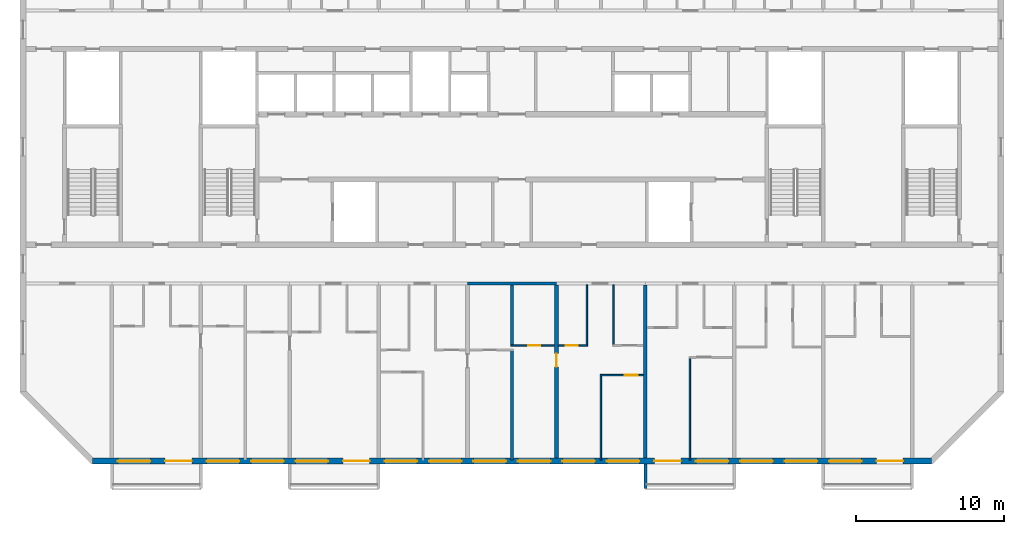
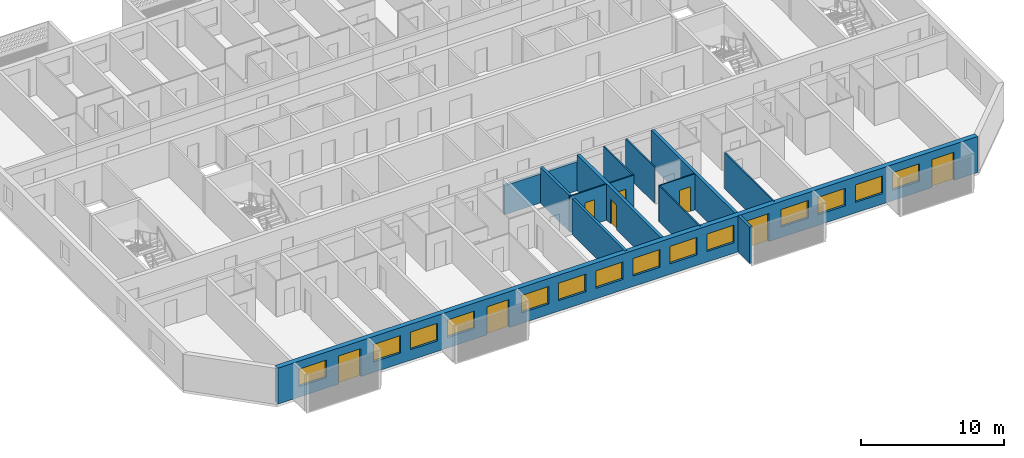
# One storey, part 4 of 26: 14 walls, 14 windows, 8 doors, 22 openings.
"""IFC4 building model written with IfcOpenShell, lengths in metres."""

from ifc_helpers import new_model, si_unit, direction, frame, frame_2d, origin, place, context, subcontext, project, spatial, polyline, rectangle, outline, extrude, source, transform, mapped, material, layer, layer_set, type_object, element, fill, save


model = new_model("IFC4")

# Units and contexts
model_context = context("Model", 3, precision=1e-05, world=origin(), true_north=direction((0.0, 1.0)))
body_context = subcontext(model_context, "Body", "Model", "MODEL_VIEW")
ifc_project = project(units=[si_unit("LENGTHUNIT", "METRE"), si_unit("AREAUNIT", "SQUARE_METRE"), si_unit("VOLUMEUNIT", "CUBIC_METRE"), si_unit("PLANEANGLEUNIT", "RADIAN"), si_unit("MASSUNIT", "GRAM", prefix="KILO")], contexts=[model_context])

# Site, building, storey
site_placement = place(None, origin())
site = spatial("IfcSite", under=ifc_project, at=site_placement, CompositionType="ELEMENT")
building_placement = place(site_placement, origin())
building = spatial("IfcBuilding", under=site, at=building_placement, Name="Poui Terraces", CompositionType="ELEMENT")
storey_placement = place(building_placement, frame((0.0, 0.0, 241.199951171875)))
storey = spatial("IfcBuildingStorey", under=building, at=storey_placement, Name="L67", CompositionType="ELEMENT", Elevation=241.199951171875)

# Wall
ifc_material_1 = material(Name="Concrete 50 MPa", Category="concrete")
ifc_layer_1 = layer(ifc_material_1, 0.199951171875)
ifc_layer_set_1 = layer_set([ifc_layer_1], Name="Concrete 50 MPa")
wall_type_1 = type_object("IfcWallType", Name="CORRIDOR WALL 200 50MPa", PredefinedType="SHEAR", material=ifc_layer_set_1)
wall_1_placement = place(storey_placement, frame((48.0, 12.0, 0.0), z_axis=(0.0, 0.0, 1.0), x_axis=(1.0, 0.0, 0.0)))
element("IfcWall", 1, at=wall_1_placement, inside=storey, type_object=wall_type_1, Name="CORRIDOR WALL LINE B BAY 6", PredefinedType="SHEAR", context=body_context, shape_type="SweptSolid", body=[
    extrude(rectangle(XDim=6.0, YDim=0.199951171875, at=frame_2d((3.0, 0.0))), origin(), (0.0, 0.0, 1.0), 2.47998046875),
])

# Wall, opening, door
ifc_layer_2 = layer(ifc_material_1, 0.25)
ifc_layer_set_2 = layer_set([ifc_layer_2], Name="Concrete 50 MPa")
wall_type_2 = type_object("IfcWallType", Name="CROSS WALL 250 50MPa", PredefinedType="SHEAR", material=ifc_layer_set_2)
wall_2_placement = place(storey_placement, frame((54.0, 0.199951171875, 0.0), z_axis=(0.0, 0.0, 1.0), x_axis=(0.0, 1.0, 0.0)))
wall_2 = element("IfcWall", 2, at=wall_2_placement, inside=storey, type_object=wall_type_2, Name="CROSS WALL LINE 10 SOUTH", PredefinedType="SHEAR", context=body_context, shape_type="SweptSolid", body=[
    extrude(rectangle(XDim=11.699951171875, YDim=0.25, at=frame_2d((5.85009765625, 0.0))), origin(), (0.0, 0.0, 1.0), 3.080078125),
])
opening_1_placement = place(wall_2_placement, frame((6.14990234375, 0.0, 0.0)))
opening_1 = element("IfcOpeningElement", 3, at=opening_1_placement, cuts=wall_2, Name="Opening D90", PredefinedType="OPENING", context=body_context, shape_type="SweptSolid", body=[
    extrude(rectangle(XDim=0.89990234375, YDim=2.10009765625, at=frame_2d((0.449951171875, 1.050048828125))), frame((0.0, 0.135009765625, 0.0), z_axis=(0.0, -1.0, 0.0), x_axis=(1.0, 0.0, 0.0)), (0.0, 0.0, 1.0), 0.27001953125),
])
ifc_material_2 = material(Name="Solid core timber door", Category="wood")
door_type_1 = type_object("IfcDoorType", Name="INTERNAL DOOR 900 X 2100", OperationType="NOTDEFINED", PredefinedType="DOOR", material=ifc_material_2)
door_1_placement = place(opening_1_placement, origin())
door_1 = element("IfcDoor", 4, at=door_1_placement, inside=storey, type_object=door_type_1, Name="INTERNAL DOOR 079", OperationType="SINGLE_SWING_RIGHT", OverallHeight=2.10009765625, OverallWidth=0.89990234375, PredefinedType="DOOR", context=body_context, shape_type="SweptSolid", body=[
    extrude(rectangle(XDim=0.89990234375, YDim=2.10009765625, at=frame_2d((0.449951171875, 1.050048828125))), frame((0.0, 0.02490234375, 0.0), z_axis=(0.0, -1.0, 0.0), x_axis=(1.0, 0.0, 0.0)), (0.0, 0.0, 1.0), 0.050048828125),
])
fill(opening_1, door_1)

# Wall
wall_3_placement = place(storey_placement, frame((60.0, 0.199951171875, 0.0), z_axis=(0.0, 0.0, 1.0), x_axis=(0.0, 1.0, 0.0)))
element("IfcWall", 5, at=wall_3_placement, inside=storey, type_object=wall_type_2, Name="CROSS WALL LINE 11 SOUTH", PredefinedType="SHEAR", context=body_context, shape_type="SweptSolid", body=[
    extrude(rectangle(XDim=11.699951171875, YDim=0.25, at=frame_2d((5.85009765625, 0.0))), origin(), (0.0, 0.0, 1.0), 3.080078125),
])

# Wall, openings, doors, windows
ifc_material_3 = material(Name="Precast concrete 40 MPa", Category="concrete")
ifc_layer_3 = layer(ifc_material_3, 0.39990234375)
ifc_layer_set_3 = layer_set([ifc_layer_3], Name="Precast concrete 40 MPa")
wall_type_3 = type_object("IfcWallType", Name="EXTERNAL WALL 400", PredefinedType="STANDARD", material=ifc_layer_set_3)
wall_4_placement = place(storey_placement, frame((22.682861328125, 0.0, 0.0), z_axis=(0.0, 0.0, 1.0), x_axis=(1.0, 0.0, 0.0)))
wall_4 = element("IfcWall", 6, at=wall_4_placement, inside=storey, type_object=wall_type_3, Name="EXTERNAL WALL S", PredefinedType="STANDARD", context=body_context, shape_type="SweptSolid", body=[
    extrude(rectangle(XDim=56.63427734375, YDim=0.39990234375, at=frame_2d((28.317138671875, 0.0))), origin(), (0.0, 0.0, 1.0), 3.080078125),
])
opening_2_placement = place(wall_4_placement, frame((1.71728515625, 0.0, 0.89990234375)))
opening_2 = element("IfcOpeningElement", 7, at=opening_2_placement, cuts=wall_4, Name="Opening W1", PredefinedType="OPENING", context=body_context, shape_type="SweptSolid", body=[
    extrude(rectangle(XDim=2.199951171875, YDim=1.5, at=frame_2d((1.10009765625, 0.75))), frame((0.0, 0.2099609375, 0.0), z_axis=(0.0, -1.0, 0.0), x_axis=(1.0, 0.0, 0.0)), (0.0, 0.0, 1.0), 0.419921875),
])
opening_3_placement = place(wall_4_placement, frame((4.917236328125, 0.0, 0.0)))
opening_3 = element("IfcOpeningElement", 8, at=opening_3_placement, cuts=wall_4, Name="Opening BD1", PredefinedType="OPENING", context=body_context, shape_type="SweptSolid", body=[
    extrude(rectangle(XDim=1.800048828125, YDim=2.39990234375, at=frame_2d((0.89990234375, 1.199951171875))), frame((0.0, 0.2099609375, 0.0), z_axis=(0.0, -1.0, 0.0), x_axis=(1.0, 0.0, 0.0)), (0.0, 0.0, 1.0), 0.419921875),
])
opening_4_placement = place(wall_4_placement, frame((7.71728515625, 0.0, 0.89990234375)))
opening_4 = element("IfcOpeningElement", 9, at=opening_4_placement, cuts=wall_4, Name="Opening W1", PredefinedType="OPENING", context=body_context, shape_type="SweptSolid", body=[
    extrude(rectangle(XDim=2.199951171875, YDim=1.5, at=frame_2d((1.10009765625, 0.75))), frame((0.0, 0.2099609375, 0.0), z_axis=(0.0, -1.0, 0.0), x_axis=(1.0, 0.0, 0.0)), (0.0, 0.0, 1.0), 0.419921875),
])
opening_5_placement = place(wall_4_placement, frame((10.71728515625, 0.0, 0.89990234375)))
opening_5 = element("IfcOpeningElement", 10, at=opening_5_placement, cuts=wall_4, Name="Opening W1", PredefinedType="OPENING", context=body_context, shape_type="SweptSolid", body=[
    extrude(rectangle(XDim=2.199951171875, YDim=1.5, at=frame_2d((1.10009765625, 0.75))), frame((0.0, 0.2099609375, 0.0), z_axis=(0.0, -1.0, 0.0), x_axis=(1.0, 0.0, 0.0)), (0.0, 0.0, 1.0), 0.419921875),
])
opening_6_placement = place(wall_4_placement, frame((13.71728515625, 0.0, 0.89990234375)))
opening_6 = element("IfcOpeningElement", 11, at=opening_6_placement, cuts=wall_4, Name="Opening W1", PredefinedType="OPENING", context=body_context, shape_type="SweptSolid", body=[
    extrude(rectangle(XDim=2.199951171875, YDim=1.5, at=frame_2d((1.10009765625, 0.75))), frame((0.0, 0.2099609375, 0.0), z_axis=(0.0, -1.0, 0.0), x_axis=(1.0, 0.0, 0.0)), (0.0, 0.0, 1.0), 0.419921875),
])
opening_7_placement = place(wall_4_placement, frame((16.917236328125, 0.0, 0.0)))
opening_7 = element("IfcOpeningElement", 12, at=opening_7_placement, cuts=wall_4, Name="Opening BD1", PredefinedType="OPENING", context=body_context, shape_type="SweptSolid", body=[
    extrude(rectangle(XDim=1.800048828125, YDim=2.39990234375, at=frame_2d((0.89990234375, 1.199951171875))), frame((0.0, 0.2099609375, 0.0), z_axis=(0.0, -1.0, 0.0), x_axis=(1.0, 0.0, 0.0)), (0.0, 0.0, 1.0), 0.419921875),
])
opening_8_placement = place(wall_4_placement, frame((19.71728515625, 0.0, 0.89990234375)))
opening_8 = element("IfcOpeningElement", 13, at=opening_8_placement, cuts=wall_4, Name="Opening W1", PredefinedType="OPENING", context=body_context, shape_type="SweptSolid", body=[
    extrude(rectangle(XDim=2.199951171875, YDim=1.5, at=frame_2d((1.10009765625, 0.75))), frame((0.0, 0.2099609375, 0.0), z_axis=(0.0, -1.0, 0.0), x_axis=(1.0, 0.0, 0.0)), (0.0, 0.0, 1.0), 0.419921875),
])
opening_9_placement = place(wall_4_placement, frame((22.71728515625, 0.0, 0.89990234375)))
opening_9 = element("IfcOpeningElement", 14, at=opening_9_placement, cuts=wall_4, Name="Opening W1", PredefinedType="OPENING", context=body_context, shape_type="SweptSolid", body=[
    extrude(rectangle(XDim=2.199951171875, YDim=1.5, at=frame_2d((1.10009765625, 0.75))), frame((0.0, 0.2099609375, 0.0), z_axis=(0.0, -1.0, 0.0), x_axis=(1.0, 0.0, 0.0)), (0.0, 0.0, 1.0), 0.419921875),
])
opening_10_placement = place(wall_4_placement, frame((25.71728515625, 0.0, 0.89990234375)))
opening_10 = element("IfcOpeningElement", 15, at=opening_10_placement, cuts=wall_4, Name="Opening W1", PredefinedType="OPENING", context=body_context, shape_type="SweptSolid", body=[
    extrude(rectangle(XDim=2.199951171875, YDim=1.5, at=frame_2d((1.10009765625, 0.75))), frame((0.0, 0.2099609375, 0.0), z_axis=(0.0, -1.0, 0.0), x_axis=(1.0, 0.0, 0.0)), (0.0, 0.0, 1.0), 0.419921875),
])
opening_11_placement = place(wall_4_placement, frame((28.71728515625, 0.0, 0.89990234375)))
opening_11 = element("IfcOpeningElement", 16, at=opening_11_placement, cuts=wall_4, Name="Opening W1", PredefinedType="OPENING", context=body_context, shape_type="SweptSolid", body=[
    extrude(rectangle(XDim=2.199951171875, YDim=1.5, at=frame_2d((1.10009765625, 0.75))), frame((0.0, 0.2099609375, 0.0), z_axis=(0.0, -1.0, 0.0), x_axis=(1.0, 0.0, 0.0)), (0.0, 0.0, 1.0), 0.419921875),
])
opening_12_placement = place(wall_4_placement, frame((31.71728515625, 0.0, 0.89990234375)))
opening_12 = element("IfcOpeningElement", 17, at=opening_12_placement, cuts=wall_4, Name="Opening W1", PredefinedType="OPENING", context=body_context, shape_type="SweptSolid", body=[
    extrude(rectangle(XDim=2.199951171875, YDim=1.5, at=frame_2d((1.10009765625, 0.75))), frame((0.0, 0.2099609375, 0.0), z_axis=(0.0, -1.0, 0.0), x_axis=(1.0, 0.0, 0.0)), (0.0, 0.0, 1.0), 0.419921875),
])
opening_13_placement = place(wall_4_placement, frame((34.71728515625, 0.0, 0.89990234375)))
opening_13 = element("IfcOpeningElement", 18, at=opening_13_placement, cuts=wall_4, Name="Opening W1", PredefinedType="OPENING", context=body_context, shape_type="SweptSolid", body=[
    extrude(rectangle(XDim=2.199951171875, YDim=1.5, at=frame_2d((1.10009765625, 0.75))), frame((0.0, 0.2099609375, 0.0), z_axis=(0.0, -1.0, 0.0), x_axis=(1.0, 0.0, 0.0)), (0.0, 0.0, 1.0), 0.419921875),
])
opening_14_placement = place(wall_4_placement, frame((37.917236328125, 0.0, 0.0)))
opening_14 = element("IfcOpeningElement", 19, at=opening_14_placement, cuts=wall_4, Name="Opening BD1", PredefinedType="OPENING", context=body_context, shape_type="SweptSolid", body=[
    extrude(rectangle(XDim=1.800048828125, YDim=2.39990234375, at=frame_2d((0.89990234375, 1.199951171875))), frame((0.0, 0.2099609375, 0.0), z_axis=(0.0, -1.0, 0.0), x_axis=(1.0, 0.0, 0.0)), (0.0, 0.0, 1.0), 0.419921875),
])
opening_15_placement = place(wall_4_placement, frame((40.71728515625, 0.0, 0.89990234375)))
opening_15 = element("IfcOpeningElement", 20, at=opening_15_placement, cuts=wall_4, Name="Opening W1", PredefinedType="OPENING", context=body_context, shape_type="SweptSolid", body=[
    extrude(rectangle(XDim=2.199951171875, YDim=1.5, at=frame_2d((1.10009765625, 0.75))), frame((0.0, 0.2099609375, 0.0), z_axis=(0.0, -1.0, 0.0), x_axis=(1.0, 0.0, 0.0)), (0.0, 0.0, 1.0), 0.419921875),
])
opening_16_placement = place(wall_4_placement, frame((43.71728515625, 0.0, 0.89990234375)))
opening_16 = element("IfcOpeningElement", 21, at=opening_16_placement, cuts=wall_4, Name="Opening W1", PredefinedType="OPENING", context=body_context, shape_type="SweptSolid", body=[
    extrude(rectangle(XDim=2.199951171875, YDim=1.5, at=frame_2d((1.10009765625, 0.75))), frame((0.0, 0.2099609375, 0.0), z_axis=(0.0, -1.0, 0.0), x_axis=(1.0, 0.0, 0.0)), (0.0, 0.0, 1.0), 0.419921875),
])
opening_17_placement = place(wall_4_placement, frame((46.71728515625, 0.0, 0.89990234375)))
opening_17 = element("IfcOpeningElement", 22, at=opening_17_placement, cuts=wall_4, Name="Opening W1", PredefinedType="OPENING", context=body_context, shape_type="SweptSolid", body=[
    extrude(rectangle(XDim=2.199951171875, YDim=1.5, at=frame_2d((1.10009765625, 0.75))), frame((0.0, 0.2099609375, 0.0), z_axis=(0.0, -1.0, 0.0), x_axis=(1.0, 0.0, 0.0)), (0.0, 0.0, 1.0), 0.419921875),
])
opening_18_placement = place(wall_4_placement, frame((49.71728515625, 0.0, 0.89990234375)))
opening_18 = element("IfcOpeningElement", 23, at=opening_18_placement, cuts=wall_4, Name="Opening W1", PredefinedType="OPENING", context=body_context, shape_type="SweptSolid", body=[
    extrude(rectangle(XDim=2.199951171875, YDim=1.5, at=frame_2d((1.10009765625, 0.75))), frame((0.0, 0.2099609375, 0.0), z_axis=(0.0, -1.0, 0.0), x_axis=(1.0, 0.0, 0.0)), (0.0, 0.0, 1.0), 0.419921875),
])
opening_19_placement = place(wall_4_placement, frame((52.917236328125, 0.0, 0.0)))
opening_19 = element("IfcOpeningElement", 24, at=opening_19_placement, cuts=wall_4, Name="Opening BD1", PredefinedType="OPENING", context=body_context, shape_type="SweptSolid", body=[
    extrude(rectangle(XDim=1.800048828125, YDim=2.39990234375, at=frame_2d((0.89990234375, 1.199951171875))), frame((0.0, 0.2099609375, 0.0), z_axis=(0.0, -1.0, 0.0), x_axis=(1.0, 0.0, 0.0)), (0.0, 0.0, 1.0), 0.419921875),
])
ifc_material_4 = material(Name="Clear glass in aluminium frame", Category="aluminium")
door_type_2 = type_object("IfcDoorType", Name="BALCONY DOOR 1800X2400", OperationType="DOUBLE_DOOR_SLIDING", PredefinedType="DOOR", material=ifc_material_4)
door_2_placement = place(opening_3_placement, origin())
door_2 = element("IfcDoor", 25, at=door_2_placement, inside=storey, type_object=door_type_2, Name="BD1 BALCONY DOOR", OperationType="DOUBLE_DOOR_SLIDING", OverallHeight=2.39990234375, OverallWidth=1.800048828125, PredefinedType="DOOR", context=body_context, shape_type="SweptSolid", body=[
    extrude(rectangle(XDim=1.800048828125, YDim=2.39990234375, at=frame_2d((0.89990234375, 1.199951171875))), frame((0.0, 0.02490234375, 0.0), z_axis=(0.0, -1.0, 0.0), x_axis=(1.0, 0.0, 0.0)), (0.0, 0.0, 1.0), 0.050048828125),
])
fill(opening_3, door_2)
door_3_placement = place(opening_7_placement, origin())
door_3 = element("IfcDoor", 26, at=door_3_placement, inside=storey, type_object=door_type_2, Name="BD1 BALCONY DOOR", OperationType="DOUBLE_DOOR_SLIDING", OverallHeight=2.39990234375, OverallWidth=1.800048828125, PredefinedType="DOOR", context=body_context, shape_type="SweptSolid", body=[
    extrude(rectangle(XDim=1.800048828125, YDim=2.39990234375, at=frame_2d((0.89990234375, 1.199951171875))), frame((0.0, 0.02490234375, 0.0), z_axis=(0.0, -1.0, 0.0), x_axis=(1.0, 0.0, 0.0)), (0.0, 0.0, 1.0), 0.050048828125),
])
fill(opening_7, door_3)
door_4_placement = place(opening_14_placement, origin())
door_4 = element("IfcDoor", 27, at=door_4_placement, inside=storey, type_object=door_type_2, Name="BD1 BALCONY DOOR", OperationType="DOUBLE_DOOR_SLIDING", OverallHeight=2.39990234375, OverallWidth=1.800048828125, PredefinedType="DOOR", context=body_context, shape_type="SweptSolid", body=[
    extrude(rectangle(XDim=1.800048828125, YDim=2.39990234375, at=frame_2d((0.89990234375, 1.199951171875))), frame((0.0, 0.02490234375, 0.0), z_axis=(0.0, -1.0, 0.0), x_axis=(1.0, 0.0, 0.0)), (0.0, 0.0, 1.0), 0.050048828125),
])
fill(opening_14, door_4)
door_5_placement = place(opening_19_placement, origin())
door_5 = element("IfcDoor", 28, at=door_5_placement, inside=storey, type_object=door_type_2, Name="BD1 BALCONY DOOR", OperationType="DOUBLE_DOOR_SLIDING", OverallHeight=2.39990234375, OverallWidth=1.800048828125, PredefinedType="DOOR", context=body_context, shape_type="SweptSolid", body=[
    extrude(rectangle(XDim=1.800048828125, YDim=2.39990234375, at=frame_2d((0.89990234375, 1.199951171875))), frame((0.0, 0.02490234375, 0.0), z_axis=(0.0, -1.0, 0.0), x_axis=(1.0, 0.0, 0.0)), (0.0, 0.0, 1.0), 0.050048828125),
])
fill(opening_19, door_5)
window_type = type_object("IfcWindowType", Name="WINDOW 2200X1500", PartitioningType="DOUBLE_PANEL_HORIZONTAL", PredefinedType="WINDOW", material=ifc_material_4)
window_1_placement = place(opening_2_placement, origin())
window_1 = element("IfcWindow", 29, at=window_1_placement, inside=storey, type_object=window_type, Name="W1 WINDOW", OverallHeight=1.5, OverallWidth=2.199951171875, PartitioningType="DOUBLE_PANEL_HORIZONTAL", PredefinedType="WINDOW", context=body_context, shape_type="SweptSolid", body=[
    extrude(rectangle(XDim=2.199951171875, YDim=1.5, at=frame_2d((1.10009765625, 0.75))), frame((0.0, 0.030029296875, 0.0), z_axis=(0.0, -1.0, 0.0), x_axis=(1.0, 0.0, 0.0)), (0.0, 0.0, 1.0), 0.06005859375),
])
fill(opening_2, window_1)
window_2_placement = place(opening_4_placement, origin())
window_2 = element("IfcWindow", 30, at=window_2_placement, inside=storey, type_object=window_type, Name="W1 WINDOW", OverallHeight=1.5, OverallWidth=2.199951171875, PartitioningType="DOUBLE_PANEL_HORIZONTAL", PredefinedType="WINDOW", context=body_context, shape_type="SweptSolid", body=[
    extrude(rectangle(XDim=2.199951171875, YDim=1.5, at=frame_2d((1.10009765625, 0.75))), frame((0.0, 0.030029296875, 0.0), z_axis=(0.0, -1.0, 0.0), x_axis=(1.0, 0.0, 0.0)), (0.0, 0.0, 1.0), 0.06005859375),
])
fill(opening_4, window_2)
window_3_placement = place(opening_5_placement, origin())
window_3 = element("IfcWindow", 31, at=window_3_placement, inside=storey, type_object=window_type, Name="W1 WINDOW", OverallHeight=1.5, OverallWidth=2.199951171875, PartitioningType="DOUBLE_PANEL_HORIZONTAL", PredefinedType="WINDOW", context=body_context, shape_type="SweptSolid", body=[
    extrude(rectangle(XDim=2.199951171875, YDim=1.5, at=frame_2d((1.10009765625, 0.75))), frame((0.0, 0.030029296875, 0.0), z_axis=(0.0, -1.0, 0.0), x_axis=(1.0, 0.0, 0.0)), (0.0, 0.0, 1.0), 0.06005859375),
])
fill(opening_5, window_3)
window_4_placement = place(opening_6_placement, origin())
window_4 = element("IfcWindow", 32, at=window_4_placement, inside=storey, type_object=window_type, Name="W1 WINDOW", OverallHeight=1.5, OverallWidth=2.199951171875, PartitioningType="DOUBLE_PANEL_HORIZONTAL", PredefinedType="WINDOW", context=body_context, shape_type="SweptSolid", body=[
    extrude(rectangle(XDim=2.199951171875, YDim=1.5, at=frame_2d((1.10009765625, 0.75))), frame((0.0, 0.030029296875, 0.0), z_axis=(0.0, -1.0, 0.0), x_axis=(1.0, 0.0, 0.0)), (0.0, 0.0, 1.0), 0.06005859375),
])
fill(opening_6, window_4)
window_5_placement = place(opening_8_placement, origin())
window_5 = element("IfcWindow", 33, at=window_5_placement, inside=storey, type_object=window_type, Name="W1 WINDOW", OverallHeight=1.5, OverallWidth=2.199951171875, PartitioningType="DOUBLE_PANEL_HORIZONTAL", PredefinedType="WINDOW", context=body_context, shape_type="SweptSolid", body=[
    extrude(rectangle(XDim=2.199951171875, YDim=1.5, at=frame_2d((1.10009765625, 0.75))), frame((0.0, 0.030029296875, 0.0), z_axis=(0.0, -1.0, 0.0), x_axis=(1.0, 0.0, 0.0)), (0.0, 0.0, 1.0), 0.06005859375),
])
fill(opening_8, window_5)
window_6_placement = place(opening_9_placement, origin())
window_6 = element("IfcWindow", 34, at=window_6_placement, inside=storey, type_object=window_type, Name="W1 WINDOW", OverallHeight=1.5, OverallWidth=2.199951171875, PartitioningType="DOUBLE_PANEL_HORIZONTAL", PredefinedType="WINDOW", context=body_context, shape_type="SweptSolid", body=[
    extrude(rectangle(XDim=2.199951171875, YDim=1.5, at=frame_2d((1.10009765625, 0.75))), frame((0.0, 0.030029296875, 0.0), z_axis=(0.0, -1.0, 0.0), x_axis=(1.0, 0.0, 0.0)), (0.0, 0.0, 1.0), 0.06005859375),
])
fill(opening_9, window_6)
window_7_placement = place(opening_10_placement, origin())
window_7 = element("IfcWindow", 35, at=window_7_placement, inside=storey, type_object=window_type, Name="W1 WINDOW", OverallHeight=1.5, OverallWidth=2.199951171875, PartitioningType="DOUBLE_PANEL_HORIZONTAL", PredefinedType="WINDOW", context=body_context, shape_type="SweptSolid", body=[
    extrude(rectangle(XDim=2.199951171875, YDim=1.5, at=frame_2d((1.10009765625, 0.75))), frame((0.0, 0.030029296875, 0.0), z_axis=(0.0, -1.0, 0.0), x_axis=(1.0, 0.0, 0.0)), (0.0, 0.0, 1.0), 0.06005859375),
])
fill(opening_10, window_7)
window_8_placement = place(opening_11_placement, origin())
window_8 = element("IfcWindow", 36, at=window_8_placement, inside=storey, type_object=window_type, Name="W1 WINDOW", OverallHeight=1.5, OverallWidth=2.199951171875, PartitioningType="DOUBLE_PANEL_HORIZONTAL", PredefinedType="WINDOW", context=body_context, shape_type="SweptSolid", body=[
    extrude(rectangle(XDim=2.199951171875, YDim=1.5, at=frame_2d((1.10009765625, 0.75))), frame((0.0, 0.030029296875, 0.0), z_axis=(0.0, -1.0, 0.0), x_axis=(1.0, 0.0, 0.0)), (0.0, 0.0, 1.0), 0.06005859375),
])
fill(opening_11, window_8)
window_9_placement = place(opening_12_placement, origin())
window_9 = element("IfcWindow", 37, at=window_9_placement, inside=storey, type_object=window_type, Name="W1 WINDOW", OverallHeight=1.5, OverallWidth=2.199951171875, PartitioningType="DOUBLE_PANEL_HORIZONTAL", PredefinedType="WINDOW", context=body_context, shape_type="SweptSolid", body=[
    extrude(rectangle(XDim=2.199951171875, YDim=1.5, at=frame_2d((1.10009765625, 0.75))), frame((0.0, 0.030029296875, 0.0), z_axis=(0.0, -1.0, 0.0), x_axis=(1.0, 0.0, 0.0)), (0.0, 0.0, 1.0), 0.06005859375),
])
fill(opening_12, window_9)
window_10_placement = place(opening_13_placement, origin())
window_10 = element("IfcWindow", 38, at=window_10_placement, inside=storey, type_object=window_type, Name="W1 WINDOW", OverallHeight=1.5, OverallWidth=2.199951171875, PartitioningType="DOUBLE_PANEL_HORIZONTAL", PredefinedType="WINDOW", context=body_context, shape_type="SweptSolid", body=[
    extrude(rectangle(XDim=2.199951171875, YDim=1.5, at=frame_2d((1.10009765625, 0.75))), frame((0.0, 0.030029296875, 0.0), z_axis=(0.0, -1.0, 0.0), x_axis=(1.0, 0.0, 0.0)), (0.0, 0.0, 1.0), 0.06005859375),
])
fill(opening_13, window_10)
window_11_placement = place(opening_15_placement, origin())
window_11 = element("IfcWindow", 39, at=window_11_placement, inside=storey, type_object=window_type, Name="W1 WINDOW", OverallHeight=1.5, OverallWidth=2.199951171875, PartitioningType="DOUBLE_PANEL_HORIZONTAL", PredefinedType="WINDOW", context=body_context, shape_type="SweptSolid", body=[
    extrude(rectangle(XDim=2.199951171875, YDim=1.5, at=frame_2d((1.10009765625, 0.75))), frame((0.0, 0.030029296875, 0.0), z_axis=(0.0, -1.0, 0.0), x_axis=(1.0, 0.0, 0.0)), (0.0, 0.0, 1.0), 0.06005859375),
])
fill(opening_15, window_11)
window_12_placement = place(opening_16_placement, origin())
window_12 = element("IfcWindow", 40, at=window_12_placement, inside=storey, type_object=window_type, Name="W1 WINDOW", OverallHeight=1.5, OverallWidth=2.199951171875, PartitioningType="DOUBLE_PANEL_HORIZONTAL", PredefinedType="WINDOW", context=body_context, shape_type="SweptSolid", body=[
    extrude(rectangle(XDim=2.199951171875, YDim=1.5, at=frame_2d((1.10009765625, 0.75))), frame((0.0, 0.030029296875, 0.0), z_axis=(0.0, -1.0, 0.0), x_axis=(1.0, 0.0, 0.0)), (0.0, 0.0, 1.0), 0.06005859375),
])
fill(opening_16, window_12)
window_13_placement = place(opening_17_placement, origin())
window_13 = element("IfcWindow", 41, at=window_13_placement, inside=storey, type_object=window_type, Name="W1 WINDOW", OverallHeight=1.5, OverallWidth=2.199951171875, PartitioningType="DOUBLE_PANEL_HORIZONTAL", PredefinedType="WINDOW", context=body_context, shape_type="SweptSolid", body=[
    extrude(rectangle(XDim=2.199951171875, YDim=1.5, at=frame_2d((1.10009765625, 0.75))), frame((0.0, 0.030029296875, 0.0), z_axis=(0.0, -1.0, 0.0), x_axis=(1.0, 0.0, 0.0)), (0.0, 0.0, 1.0), 0.06005859375),
])
fill(opening_17, window_13)
window_14_placement = place(opening_18_placement, origin())
window_14 = element("IfcWindow", 42, at=window_14_placement, inside=storey, type_object=window_type, Name="W1 WINDOW", OverallHeight=1.5, OverallWidth=2.199951171875, PartitioningType="DOUBLE_PANEL_HORIZONTAL", PredefinedType="WINDOW", context=body_context, shape_type="SweptSolid", body=[
    extrude(rectangle(XDim=2.199951171875, YDim=1.5, at=frame_2d((1.10009765625, 0.75))), frame((0.0, 0.030029296875, 0.0), z_axis=(0.0, -1.0, 0.0), x_axis=(1.0, 0.0, 0.0)), (0.0, 0.0, 1.0), 0.06005859375),
])
fill(opening_18, window_14)

# Wall, opening, door
ifc_material_5 = material(Name="Plasterboard partition")
ifc_layer_4 = layer(ifc_material_5, 0.10009765625)
ifc_layer_set_4 = layer_set([ifc_layer_4], Name="Plasterboard partition")
wall_type_4 = type_object("IfcWallType", Name="FLAT PARTITION 100", PredefinedType="PARTITIONING", material=ifc_layer_set_4)
wall_5_placement = place(storey_placement, frame((56.949951171875, 5.800048828125, 0.0), z_axis=(0.0, 0.0, 1.0), x_axis=(1.0, 0.0, 0.0)))
wall_5 = element("IfcWall", 43, at=wall_5_placement, inside=storey, type_object=wall_type_4, Name="FLAT PARTITION 100", PredefinedType="PARTITIONING", context=body_context, shape_type="SweptSolid", body=[
    extrude(rectangle(XDim=2.9150390625, YDim=0.10009765625, at=frame_2d((1.45751953125, 0.0))), origin(), (0.0, 0.0, 1.0), 3.080078125),
])
opening_20_placement = place(wall_5_placement, frame((1.64990234375, 0.0, 0.0)))
opening_20 = element("IfcOpeningElement", 44, at=opening_20_placement, cuts=wall_5, Name="Opening D90", PredefinedType="OPENING", context=body_context, shape_type="SweptSolid", body=[
    extrude(rectangle(XDim=0.89990234375, YDim=2.10009765625, at=frame_2d((0.449951171875, 1.050048828125))), frame((0.0, 0.06005859375, 0.0), z_axis=(0.0, -1.0, 0.0), x_axis=(1.0, 0.0, 0.0)), (0.0, 0.0, 1.0), 0.1201171875),
])
door_6_placement = place(opening_20_placement, origin())
door_6 = element("IfcDoor", 45, at=door_6_placement, inside=storey, type_object=door_type_1, Name="INTERNAL DOOR 083", OperationType="SINGLE_SWING_LEFT", OverallHeight=2.10009765625, OverallWidth=0.89990234375, PredefinedType="DOOR", context=body_context, shape_type="SweptSolid", body=[
    extrude(rectangle(XDim=0.89990234375, YDim=2.10009765625, at=frame_2d((0.449951171875, 1.050048828125))), frame((0.0, 0.02490234375, 0.0), z_axis=(0.0, -1.0, 0.0), x_axis=(1.0, 0.0, 0.0)), (0.0, 0.0, 1.0), 0.050048828125),
])
fill(opening_20, door_6)

wall_6_placement = place(storey_placement, frame((50.89990234375, 7.800048828125, 0.0), z_axis=(0.0, 0.0, 1.0), x_axis=(1.0, 0.0, 0.0)))
wall_6 = element("IfcWall", 46, at=wall_6_placement, inside=storey, type_object=wall_type_4, Name="FLAT PARTITION 100", PredefinedType="PARTITIONING", context=body_context, shape_type="SweptSolid", body=[
    extrude(rectangle(XDim=2.965087890625, YDim=0.10009765625, at=frame_2d((1.482421875, 0.0))), origin(), (0.0, 0.0, 1.0), 3.080078125),
])
opening_21_placement = place(wall_6_placement, frame((1.199951171875, 0.0, 0.0)))
opening_21 = element("IfcOpeningElement", 47, at=opening_21_placement, cuts=wall_6, Name="Opening D80", PredefinedType="OPENING", context=body_context, shape_type="SweptSolid", body=[
    extrude(rectangle(XDim=0.800048828125, YDim=2.10009765625, at=frame_2d((0.39990234375, 1.050048828125))), frame((0.0, 0.06005859375, 0.0), z_axis=(0.0, -1.0, 0.0), x_axis=(1.0, 0.0, 0.0)), (0.0, 0.0, 1.0), 0.1201171875),
])
door_type_3 = type_object("IfcDoorType", Name="BATHROOM, LAUNDRY AND STORE DOOR 800 X 2100", OperationType="NOTDEFINED", PredefinedType="DOOR", material=ifc_material_2)
door_7_placement = place(opening_21_placement, origin())
door_7 = element("IfcDoor", 48, at=door_7_placement, inside=storey, type_object=door_type_3, Name="BATHROOM, LAUNDRY AND STORE DOOR 078", OperationType="SINGLE_SWING_LEFT", OverallHeight=2.10009765625, OverallWidth=0.800048828125, PredefinedType="DOOR", context=body_context, shape_type="SweptSolid", body=[
    extrude(rectangle(XDim=0.800048828125, YDim=2.10009765625, at=frame_2d((0.39990234375, 1.050048828125))), frame((0.0, 0.02490234375, 0.0), z_axis=(0.0, -1.0, 0.0), x_axis=(1.0, 0.0, 0.0)), (0.0, 0.0, 1.0), 0.050048828125),
])
fill(opening_21, door_7)

wall_7_placement = place(storey_placement, frame((54.135009765625, 7.800048828125, 0.0), z_axis=(0.0, 0.0, 1.0), x_axis=(1.0, 0.0, 0.0)))
wall_7 = element("IfcWall", 49, at=wall_7_placement, inside=storey, type_object=wall_type_4, Name="FLAT PARTITION 100", PredefinedType="PARTITIONING", context=body_context, shape_type="SweptSolid", body=[
    extrude(rectangle(XDim=1.965087890625, YDim=0.10009765625, at=frame_2d((0.982421875, 0.0))), origin(), (0.0, 0.0, 1.0), 3.080078125),
])
opening_22_placement = place(wall_7_placement, frame((0.489990234375, 0.0, 0.0)))
opening_22 = element("IfcOpeningElement", 50, at=opening_22_placement, cuts=wall_7, Name="Opening D80", PredefinedType="OPENING", context=body_context, shape_type="SweptSolid", body=[
    extrude(rectangle(XDim=0.800048828125, YDim=2.10009765625, at=frame_2d((0.39990234375, 1.050048828125))), frame((0.0, 0.06005859375, 0.0), z_axis=(0.0, -1.0, 0.0), x_axis=(1.0, 0.0, 0.0)), (0.0, 0.0, 1.0), 0.1201171875),
])
door_8_placement = place(opening_22_placement, origin())
door_8 = element("IfcDoor", 51, at=door_8_placement, inside=storey, type_object=door_type_3, Name="BATHROOM, LAUNDRY AND STORE DOOR 080", OperationType="SINGLE_SWING_LEFT", OverallHeight=2.10009765625, OverallWidth=0.800048828125, PredefinedType="DOOR", context=body_context, shape_type="SweptSolid", body=[
    extrude(rectangle(XDim=0.800048828125, YDim=2.10009765625, at=frame_2d((0.39990234375, 1.050048828125))), frame((0.0, 0.02490234375, 0.0), z_axis=(0.0, -1.0, 0.0), x_axis=(1.0, 0.0, 0.0)), (0.0, 0.0, 1.0), 0.050048828125),
])
fill(opening_22, door_8)

# Walls
wall_8_placement = place(storey_placement, frame((56.050048828125, 7.85009765625, 0.0), z_axis=(0.0, 0.0, 1.0), x_axis=(0.0, 1.0, 0.0)))
element("IfcWall", 52, at=wall_8_placement, inside=storey, type_object=wall_type_4, Name="FLAT PARTITION 100", PredefinedType="PARTITIONING", context=body_context, shape_type="SweptSolid", body=[
    extrude(rectangle(XDim=4.039794921875, YDim=0.10009765625, at=frame_2d((2.02001953125, 0.0))), origin(), (0.0, 0.0, 1.0), 3.080078125),
])
wall_9_placement = place(storey_placement, frame((57.0, 0.06005859375, 0.0), z_axis=(0.0, 0.0, 1.0), x_axis=(0.0, 1.0, 0.0)))
element("IfcWall", 53, at=wall_9_placement, inside=storey, type_object=wall_type_4, Name="FLAT PARTITION 100", PredefinedType="PARTITIONING", context=body_context, shape_type="SweptSolid", body=[
    extrude(rectangle(XDim=5.68994140625, YDim=0.10009765625, at=frame_2d((2.844970703125, 0.0))), origin(), (0.0, 0.0, 1.0), 3.080078125),
])
wall_10_placement = place(storey_placement, frame((57.85009765625, 7.85009765625, 0.0), z_axis=(0.0, 0.0, 1.0), x_axis=(0.0, 1.0, 0.0)))
element("IfcWall", 54, at=wall_10_placement, inside=storey, type_object=wall_type_4, Name="FLAT PARTITION 100", PredefinedType="PARTITIONING", context=body_context, shape_type="SweptSolid", body=[
    extrude(rectangle(XDim=4.039794921875, YDim=0.10009765625, at=frame_2d((2.02001953125, 0.0))), origin(), (0.0, 0.0, 1.0), 3.080078125),
])
wall_11_placement = place(storey_placement, frame((63.0, 0.06005859375, 0.0), z_axis=(0.0, 0.0, 1.0), x_axis=(0.0, 1.0, 0.0)))
element("IfcWall", 55, at=wall_11_placement, inside=storey, type_object=wall_type_4, Name="FLAT PARTITION 100", PredefinedType="PARTITIONING", context=body_context, shape_type="SweptSolid", body=[
    extrude(rectangle(XDim=6.889892578125, YDim=0.10009765625, at=frame_2d((3.44482421875, 0.0))), origin(), (0.0, 0.0, 1.0), 3.080078125),
])
ifc_material_6 = material(Name="Fire-rated masonry wall", Category="masonry")
ifc_layer_5 = layer(ifc_material_6, 0.199951171875)
ifc_layer_set_5 = layer_set([ifc_layer_5], Name="Fire-rated masonry wall")
wall_type_5 = type_object("IfcWallType", Name="FLAT PARTY WALL 200", PredefinedType="PARTITIONING", material=ifc_layer_set_5)
wall_12_placement = place(storey_placement, frame((51.0, 0.06005859375, 0.0), z_axis=(0.0, 0.0, 1.0), x_axis=(0.0, 1.0, 0.0)))
element("IfcWall", 56, at=wall_12_placement, inside=storey, type_object=wall_type_5, Name="FLAT PARTY WALL 200", PredefinedType="PARTITIONING", context=body_context, shape_type="SweptSolid", body=[
    extrude(rectangle(XDim=7.389892578125, YDim=0.199951171875, at=frame_2d((3.69482421875, 0.0))), origin(), (0.0, 0.0, 1.0), 3.080078125),
])
wall_13_placement = place(storey_placement, frame((51.0, 7.85009765625, 0.0), z_axis=(0.0, 0.0, 1.0), x_axis=(0.0, 1.0, 0.0)))
element("IfcWall", 57, at=wall_13_placement, inside=storey, type_object=wall_type_5, Name="FLAT PARTY WALL 200", PredefinedType="PARTITIONING", context=body_context, shape_type="SweptSolid", body=[
    extrude(rectangle(XDim=4.039794921875, YDim=0.199951171875, at=frame_2d((2.02001953125, 0.0))), origin(), (0.0, 0.0, 1.0), 3.080078125),
])
ifc_layer_6 = layer(ifc_material_3, 0.199951171875)
ifc_layer_set_6 = layer_set([ifc_layer_6], Name="Precast concrete 40 MPa")
wall_type_6 = type_object("IfcWallType", Name="REAR FIN 200", PredefinedType="STANDARD", material=ifc_layer_set_6)
shared_shape = source(origin(), body_context, "Body", "SweptSolid", [
    extrude(outline(polyline([(0.0, 0.0), (0.2001953125, 0.0), (0.2001953125, 1.650146484375), (0.0, 1.650146484375), (0.0, 0.0)])), origin(), (0.0, 0.0, 1.0), 3.10009765625),
])
wall_14_placement = place(storey_placement, frame((59.89990234375, -1.85009765625, 0.0)))
element("IfcWall", 58, at=wall_14_placement, inside=storey, type_object=wall_type_6, Name="REAR FIN", PredefinedType="STANDARD", context=body_context, shape_type="MappedRepresentation", body=[
    mapped(shared_shape, transform((0.0, 0.0, 0.0))),
])

save(model, "model.ifc")
